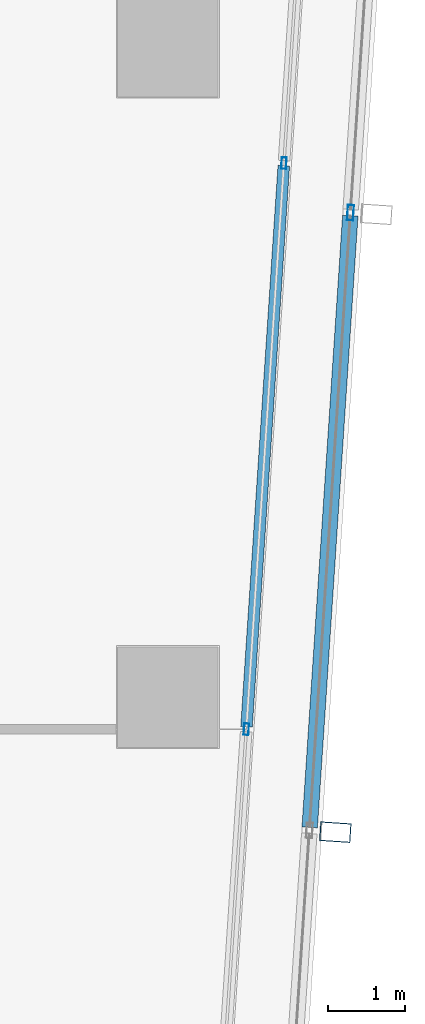
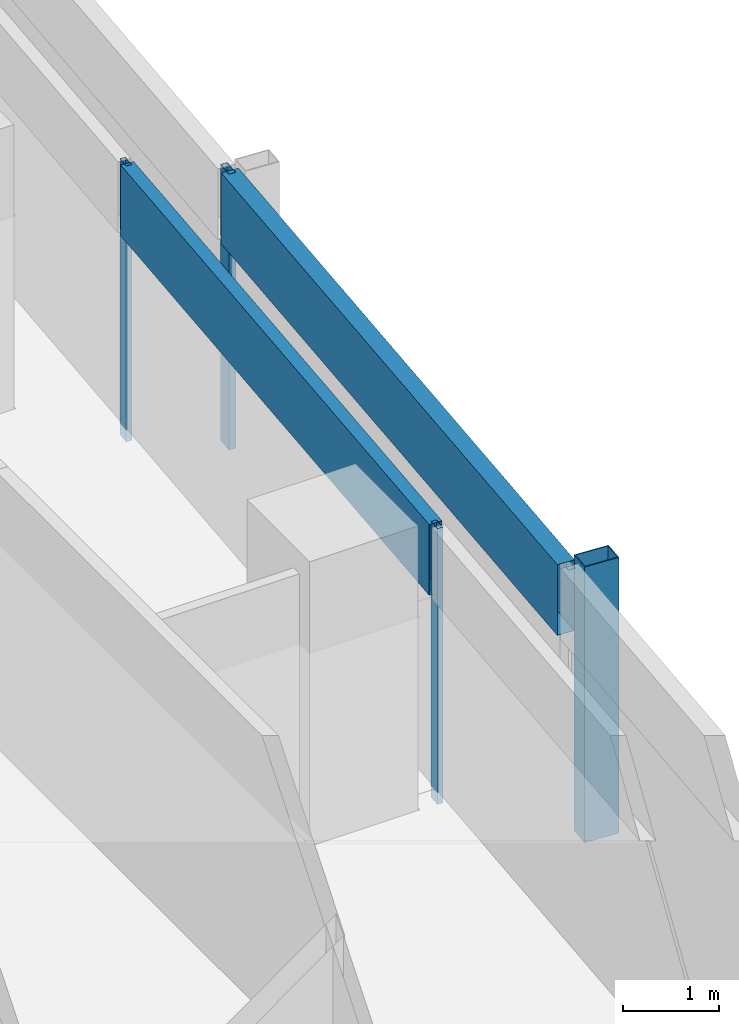
# One storey, part 12 of 29: 6 members, 2 elements without a shape of their own.
"""IFC4 building model written with IfcOpenShell, lengths in metres."""

import ifcopenshell
import ifcopenshell.guid

model = None  # the IFC model being written
_history = None  # IfcOwnerHistory: only IFC2X3 demands one
_inside = {}  # id of a spatial element -> (the spatial element, [elements in it])
_under = {}  # id of a project, library or spatial element -> (it, [spatial elements below it])
_declared = {}  # id of a project -> (the project, [libraries it declares])
_typed = {}  # id of a type object -> (the type object, [elements of that type])
_made_of = {}  # id of a material, layer set ... -> (it, [elements and type objects made of it])


def new_model(schema):
    """Start an empty IFC model of exactly this schema.

    Asked for "IFC4X3", IfcOpenShell would pick the latest addendum, in which some entities
    have other attributes; the version numbers below select the first issue.
    IFC2X3 requires an IfcOwnerHistory on every rooted entity: one is made here for all.
    """
    global model, _history
    if schema == "IFC4X3":
        model = ifcopenshell.file(schema_version=(4, 3, 0, 0))
    else:
        model = ifcopenshell.file(schema=schema)
    _inside.clear()
    _under.clear()
    _declared.clear()
    _typed.clear()
    _made_of.clear()
    _history = None
    if model.schema == "IFC2X3":
        org = make("IfcOrganization", Name="unknown")
        user = make(
            "IfcPersonAndOrganization",
            ThePerson=make("IfcPerson", FamilyName="unknown"),
            TheOrganization=org,
        )
        app = make(
            "IfcApplication",
            ApplicationDeveloper=org,
            Version="unknown",
            ApplicationFullName="unknown",
            ApplicationIdentifier="unknown",
        )
        _history = make(
            "IfcOwnerHistory",
            OwningUser=user,
            OwningApplication=app,
            ChangeAction="ADDED",
            CreationDate=0,
        )
    return model


def make(cls, **values):
    """One entity of the class cls with the attributes given. An attribute that is None is left unset."""
    return model.create_entity(
        cls, **{name: value for name, value in values.items() if value is not None}
    )


def rooted(cls, **values):
    """An entity with a GlobalId (a new one), such as an element, a storey or a relation."""
    return make(cls, GlobalId=ifcopenshell.guid.new(), OwnerHistory=_history, **values)


def si_unit(unit_type, name, prefix=None):
    """IfcSIUnit, for example si_unit("LENGTHUNIT", "METRE", prefix="MILLI")."""
    return make("IfcSIUnit", UnitType=unit_type, Prefix=prefix, Name=name)


def assignment(units):
    """IfcUnitAssignment: the units of a project."""
    return None if units is None else make("IfcUnitAssignment", Units=units)


def point(xyz):
    """IfcCartesianPoint."""
    return None if xyz is None else make("IfcCartesianPoint", Coordinates=xyz)


def direction(xyz):
    """IfcDirection."""
    return None if xyz is None else make("IfcDirection", DirectionRatios=xyz)


def frame(location, z_axis=None, x_axis=None):
    """IfcAxis2Placement3D, a coordinate frame: its origin and axes. An axis left out is left unset."""
    return make(
        "IfcAxis2Placement3D",
        Location=point(location),
        Axis=direction(z_axis),
        RefDirection=direction(x_axis),
    )


def frame_2d(location, x_axis=None):
    """IfcAxis2Placement2D, a coordinate frame in the plane: its origin and x axis."""
    return make(
        "IfcAxis2Placement2D", Location=point(location), RefDirection=direction(x_axis)
    )


def origin():
    """The frame at (0, 0, 0) with its axes left unset."""
    return frame((0.0, 0.0, 0.0))


def origin_2d():
    """The frame at (0, 0) in the plane with its x axis left unset."""
    return frame_2d((0.0, 0.0))


def place(relative_to, where):
    """IfcLocalPlacement: puts the frame where relative to a parent placement (None: the world)."""
    return make(
        "IfcLocalPlacement", PlacementRelTo=relative_to, RelativePlacement=where
    )


def context(
    kind, dimensions, precision=None, world=None, true_north=None, identifier=None
):
    """IfcGeometricRepresentationContext, for example the 3D "Model" context."""
    return make(
        "IfcGeometricRepresentationContext",
        ContextIdentifier=identifier,
        ContextType=kind,
        CoordinateSpaceDimension=dimensions,
        Precision=precision,
        WorldCoordinateSystem=world,
        TrueNorth=true_north,
    )


def subcontext(parent, identifier, kind, view, scale=None):
    """IfcGeometricRepresentationSubContext, for example "Body" below "Model"."""
    return make(
        "IfcGeometricRepresentationSubContext",
        ContextIdentifier=identifier,
        ContextType=kind,
        ParentContext=parent,
        TargetScale=scale,
        TargetView=view,
    )


def project(units=None, contexts=None):
    """IfcProject with its units and contexts."""
    return rooted(
        "IfcProject",
        Name="project",
        RepresentationContexts=contexts,
        UnitsInContext=assignment(units),
    )


def spatial(cls, under=None, at=None, **own):
    """A site, building, storey or space (cls), placed at a placement, below another one or the project."""
    s = rooted(cls, ObjectPlacement=at, **own)
    if under is not None:
        _under.setdefault(under.id(), (under, []))[1].append(s)
    return s


def profile(cls, at=None, kind="AREA", **sizes):
    """A parametric profile (cls). Its sizes go by their IFC names, for example OverallWidth=200.0."""
    return make(cls, ProfileType=kind, Position=at, **sizes)


def hollow_rectangle(**sizes):
    """IfcRectangleHollowProfileDef."""
    return profile("IfcRectangleHollowProfileDef", **sizes)


def extrude(swept, where, along, depth):
    """IfcExtrudedAreaSolid: the profile swept, set in the frame where, extruded along a direction by depth."""
    return make(
        "IfcExtrudedAreaSolid",
        SweptArea=swept,
        Position=where,
        ExtrudedDirection=direction(along),
        Depth=depth,
    )


def shape(context_of_items, identifier, shape_type, items):
    """IfcShapeRepresentation: the items that make up one representation, for example the "Body"."""
    return make(
        "IfcShapeRepresentation",
        ContextOfItems=context_of_items,
        RepresentationIdentifier=identifier,
        RepresentationType=shape_type,
        Items=items,
    )


def material(Name=None, Category=None):
    """IfcMaterial."""
    return make("IfcMaterial", Name=Name, Category=Category)


def material_profile(
    of_material, cross_section, Name=None, Category=None, Priority=None
):
    """IfcMaterialProfile: a cross section and its material."""
    return make(
        "IfcMaterialProfile",
        Name=Name,
        Material=of_material,
        Profile=cross_section,
        Priority=Priority,
        Category=Category,
    )


def profile_set(profiles, Name=None, composite=None):
    """IfcMaterialProfileSet."""
    return make(
        "IfcMaterialProfileSet",
        Name=Name,
        MaterialProfiles=profiles,
        CompositeProfile=composite,
    )


def made_of(thing, what):
    """Note that an element or type object is made of a material, layer set ...; save() writes the relation."""
    if what is not None:
        _made_of.setdefault(what.id(), (what, []))[1].append(thing)
    return thing


def type_object(cls, material=None, **own):
    """A type object (cls), such as IfcWallType, which elements share."""
    return made_of(rooted(cls, **own), material)


def element(
    cls,
    number,
    at=None,
    inside=None,
    cuts=None,
    type_object=None,
    material=None,
    context=None,
    identifier="Body",
    shape_type=None,
    held_by="IfcProductDefinitionShape",
    body=None,
    shapes=None,
    **own,
):
    """One element of the class cls, such as IfcWall. Its Tag is "e" and its number.

    at: its placement. inside: the storey or other place that contains it. cuts: it is an
    opening in that element (IfcRelVoidsElement). A single representation is given by context,
    identifier, shape_type and body (its items); several are given by shapes. held_by: the class
    of the entity that holds the representations. save() writes the other relations.
    """
    e = rooted(cls, Tag="e%d" % number, ObjectPlacement=at, **own)
    if body is not None:
        shapes = [shape(context, identifier, shape_type, body)]
    if shapes is not None:
        e.Representation = make(held_by, Representations=shapes)
    if inside is not None:
        _inside.setdefault(inside.id(), (inside, []))[1].append(e)
    if cuts is not None:
        rooted(
            "IfcRelVoidsElement", RelatingBuildingElement=cuts, RelatedOpeningElement=e
        )
    if type_object is not None:
        _typed.setdefault(type_object.id(), (type_object, []))[1].append(e)
    return made_of(e, material)


def aggregate(whole, parts):
    """IfcRelAggregates: a whole, such as a stair, and the parts it consists of."""
    return rooted("IfcRelAggregates", RelatingObject=whole, RelatedObjects=parts)


def save(model, path):
    """Write the relations noted so far, then the file.

    IfcRelAggregates (storeys below a building ...), IfcRelContainedInSpatialStructure (elements
    in a storey), IfcRelDefinesByType, IfcRelAssociatesMaterial and IfcRelDeclares: one each for
    every whole, place, type object, material and project.
    """
    for whole, parts in _under.values():
        aggregate(whole, parts)
    for where, things in _inside.values():
        rooted(
            "IfcRelContainedInSpatialStructure",
            RelatedElements=things,
            RelatingStructure=where,
        )
    for kind, things in _typed.values():
        rooted("IfcRelDefinesByType", RelatedObjects=things, RelatingType=kind)
    for what, things in _made_of.values():
        rooted("IfcRelAssociatesMaterial", RelatedObjects=things, RelatingMaterial=what)
    for by, libraries in _declared.values():
        rooted("IfcRelDeclares", RelatingContext=by, RelatedDefinitions=libraries)
    model.write(path)


model = new_model("IFC4")

# Units and contexts
model_context = context("Model", 3, precision=1e-05, world=origin(), true_north=direction((0.0, 1.0)))
body_context = subcontext(model_context, "Body", "Model", "MODEL_VIEW")
ifc_project = project(units=[si_unit("LENGTHUNIT", "METRE"), si_unit("AREAUNIT", "SQUARE_METRE"), si_unit("VOLUMEUNIT", "CUBIC_METRE"), si_unit("PLANEANGLEUNIT", "RADIAN"), si_unit("MASSUNIT", "GRAM", prefix="KILO")], contexts=[model_context])

# Site, building, storey
site_placement = place(None, origin())
site = spatial("IfcSite", under=ifc_project, at=site_placement, CompositionType="ELEMENT")
building_placement = place(site_placement, origin())
building = spatial("IfcBuilding", under=site, at=building_placement, Name="Rekha Terrace Tower", CompositionType="ELEMENT")
storey_placement = place(building_placement, frame((0.0, 0.0, 261.35009765625)))
storey = spatial("IfcBuildingStorey", under=building, at=storey_placement, Name="L66", CompositionType="ELEMENT", Elevation=261.35009765625)

# Curtain wall, member
ifc_material_1 = material(Name="Aluminium framing", Category="aluminium")
curtain_wall_type_1 = type_object("IfcCurtainWallType", Name="CW2 double skin outer glazing", PredefinedType="USERDEFINED", material=ifc_material_1)
curtain_wall_1_placement = place(storey_placement, origin())
curtain_wall_1 = element("IfcCurtainWall", 1, at=curtain_wall_1_placement, inside=storey, type_object=curtain_wall_type_1, Name="CW2 double skin outer glazing", ObjectType="DOUBLE SKIN OUTER GLAZING", PredefinedType="USERDEFINED")
ifc_material_2 = material(Name="Steel S355 with fluorocarbon finish", Category="steel")
ifc_material_profile_1 = material_profile(ifc_material_2, hollow_rectangle(XDim=0.25, YDim=0.39990234375, WallThickness=0.012451171875, at=origin_2d()), Name="RHS400x250x12.5")
ifc_profile_set_1 = profile_set([ifc_material_profile_1], Name="Steel S355 with fluorocarbon finish")
member_type_1 = type_object("IfcMemberType", Name="BL1 facade blade RHS 400 x 250", PredefinedType="USERDEFINED", material=ifc_profile_set_1)
member_1_placement = place(storey_placement, frame((60.9638671875, 23.45751953125, 0.0), z_axis=(0.0, 0.0, 1.0), x_axis=(0.066272158908, 0.99780158396, 0.0)))
member_1 = element("IfcMember", 2, at=member_1_placement, type_object=member_type_1, Name="Facade blade", ObjectType="FACADE BLADE", PredefinedType="USERDEFINED", context=body_context, shape_type="SweptSolid", body=[
    extrude(hollow_rectangle(XDim=0.25, YDim=0.39990234375, WallThickness=0.012451171875, at=origin_2d()), origin(), (0.0, 0.0, 1.0), 3.5),
])

# Curtain wall, members
curtain_wall_type_2 = type_object("IfcCurtainWallType", Name="CW1 double skin inner glazing", PredefinedType="USERDEFINED", material=ifc_material_1)
curtain_wall_2_placement = place(storey_placement, origin())
curtain_wall_2 = element("IfcCurtainWall", 3, at=curtain_wall_2_placement, inside=storey, type_object=curtain_wall_type_2, Name="CW1 double skin inner glazing", ObjectType="DOUBLE SKIN INNER GLAZING", PredefinedType="USERDEFINED")
ifc_material_3 = material(Name="Aluminium mullion section", Category="aluminium")
ifc_material_profile_2 = material_profile(ifc_material_3, hollow_rectangle(XDim=0.06494140625, YDim=0.14990234375, WallThickness=0.00390625, at=origin_2d()), Name="AL RHS 65x150")
ifc_profile_set_2 = profile_set([ifc_material_profile_2], Name="Aluminium mullion section")
member_type_2 = type_object("IfcMemberType", Name="CW1 mullion RHS 65 x 150", PredefinedType="MULLION", material=ifc_profile_set_2)
member_2_placement = place(storey_placement, frame((59.814453125, 24.78662109375, 0.0), z_axis=(0.0, 0.0, 1.0), x_axis=(-0.997801621769, 0.066271589649, 0.0)))
member_2 = element("IfcMember", 4, at=member_2_placement, type_object=member_type_2, Name="CW1 mullion 2", PredefinedType="MULLION", context=body_context, shape_type="SweptSolid", body=[
    extrude(hollow_rectangle(XDim=0.06494140625, YDim=0.14990234375, WallThickness=0.00390625, at=origin_2d()), origin(), (0.0, 0.0, 1.0), 3.5),
])
member_3_placement = place(storey_placement, frame((60.300048828125, 32.0966796875, 0.0), z_axis=(0.0, 0.0, 1.0), x_axis=(-0.997801621769, 0.066271589649, 0.0)))
member_3 = element("IfcMember", 5, at=member_3_placement, type_object=member_type_2, Name="CW1 mullion 3", PredefinedType="MULLION", context=body_context, shape_type="SweptSolid", body=[
    extrude(hollow_rectangle(XDim=0.06494140625, YDim=0.14990234375, WallThickness=0.00390625, at=origin_2d()), origin(), (0.0, 0.0, 1.0), 3.5),
])
ifc_material_4 = material(Name="Insulated aluminium spandrel box", Category="aluminium")
ifc_material_profile_3 = material_profile(ifc_material_4, hollow_rectangle(XDim=0.14990234375, YDim=0.89990234375, WallThickness=0.0029296875, at=origin_2d()), Name="AL SPANDREL BOX 150x900")
ifc_profile_set_3 = profile_set([ifc_material_profile_3], Name="Insulated aluminium spandrel box")
member_type_3 = type_object("IfcMemberType", Name="CW1 spandrel transom 150 x 900", PredefinedType="USERDEFINED", material=ifc_profile_set_3)
member_4_placement = place(storey_placement, frame((59.816650390625, 24.81884765625, 3.0498046875), z_axis=(0.066266851431, 0.997801936459, 0.0), x_axis=(-0.997801936459, 0.066266851431, 0.0)))
member_4 = element("IfcMember", 6, at=member_4_placement, type_object=member_type_3, Name="CW1 spandrel transom 2", ObjectType="TRANSOM", PredefinedType="USERDEFINED", context=body_context, shape_type="SweptSolid", body=[
    extrude(hollow_rectangle(XDim=0.14990234375, YDim=0.89990234375, WallThickness=0.0029296875, at=origin_2d()), origin(), (0.0, 0.0, 1.0), 7.261474609375),
])
aggregate(curtain_wall_2, [member_2, member_3, member_4])

# Member
ifc_material_profile_4 = material_profile(ifc_material_3, hollow_rectangle(XDim=0.080078125, YDim=0.199951171875, WallThickness=0.00390625, at=origin_2d()), Name="AL RHS 80x200")
ifc_profile_set_4 = profile_set([ifc_material_profile_4], Name="Aluminium mullion section")
member_type_4 = type_object("IfcMemberType", Name="CW2 mullion RHS 80 x 200", PredefinedType="MULLION", material=ifc_profile_set_4)
member_5_placement = place(storey_placement, frame((61.159423828125, 31.457275390625, 0.0), z_axis=(0.0, 0.0, 1.0), x_axis=(-0.997801621769, 0.066271589649, 0.0)))
member_5 = element("IfcMember", 7, at=member_5_placement, type_object=member_type_4, Name="CW2 mullion 3", PredefinedType="MULLION", context=body_context, shape_type="SweptSolid", body=[
    extrude(hollow_rectangle(XDim=0.080078125, YDim=0.199951171875, WallThickness=0.00390625, at=origin_2d()), origin(), (0.0, 0.0, 1.0), 3.5),
])

ifc_material_profile_5 = material_profile(ifc_material_4, hollow_rectangle(XDim=0.199951171875, YDim=0.89990234375, WallThickness=0.0029296875, at=origin_2d()), Name="AL SPANDREL BOX 200x900")
ifc_profile_set_5 = profile_set([ifc_material_profile_5], Name="Insulated aluminium spandrel box")
member_type_5 = type_object("IfcMemberType", Name="CW2 spandrel transom 200 x 900", PredefinedType="USERDEFINED", material=ifc_profile_set_5)
member_6_placement = place(storey_placement, frame((60.63232421875, 23.51953125, 3.0498046875), z_axis=(0.066252876442, 0.997802864479, 0.0), x_axis=(-0.997802864479, 0.066252876442, 0.0)))
member_6 = element("IfcMember", 8, at=member_6_placement, type_object=member_type_5, Name="CW2 spandrel transom 2", ObjectType="TRANSOM", PredefinedType="USERDEFINED", context=body_context, shape_type="SweptSolid", body=[
    extrude(hollow_rectangle(XDim=0.199951171875, YDim=0.89990234375, WallThickness=0.0029296875, at=origin_2d()), origin(), (0.0, 0.0, 1.0), 7.915283203125),
])

aggregate(curtain_wall_1, [member_5, member_6, member_1])

save(model, "model.ifc")
